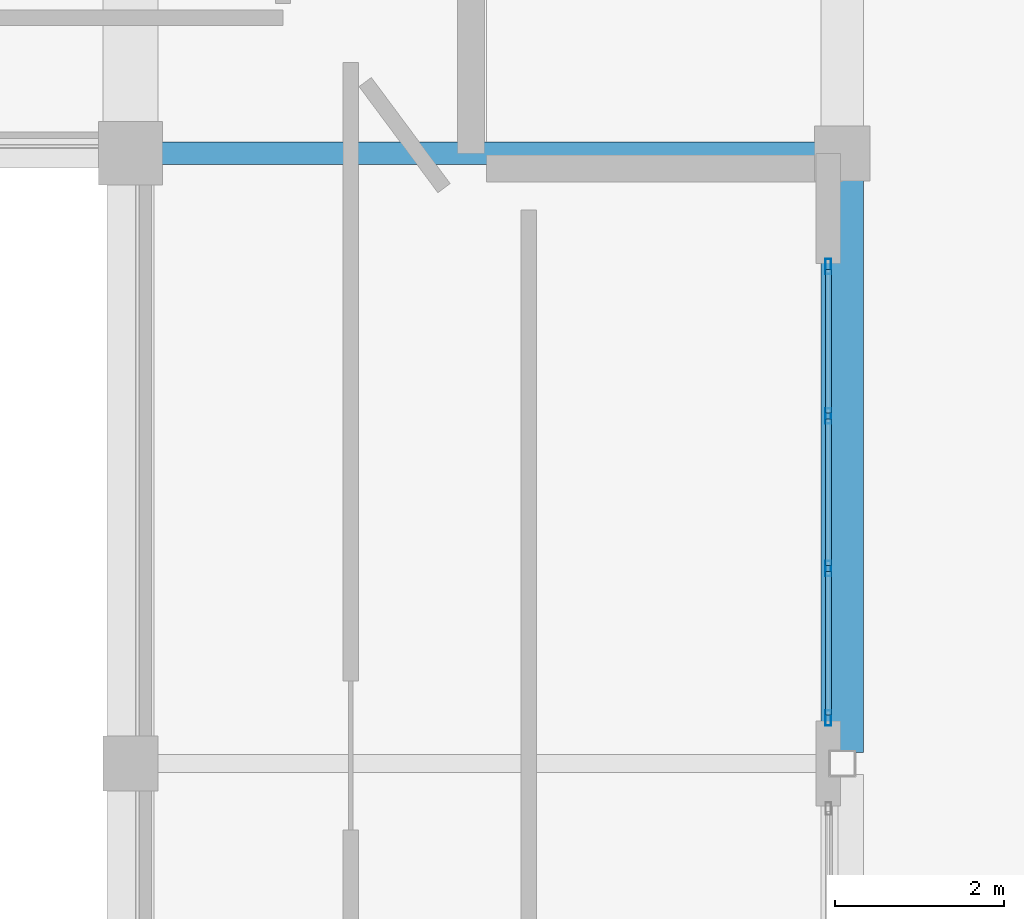
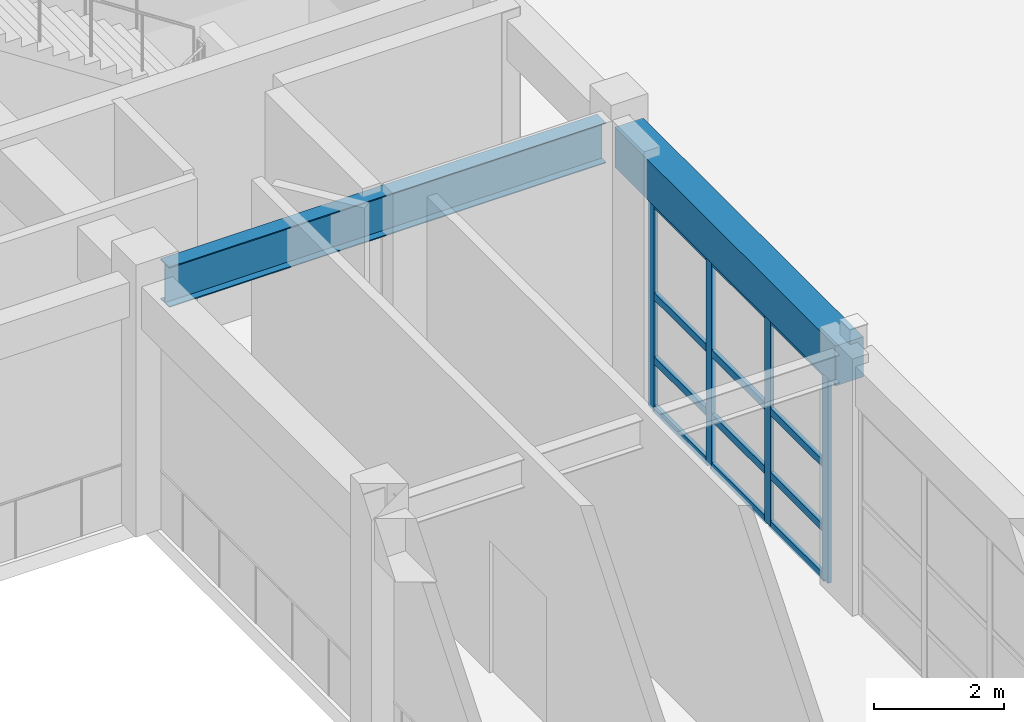
# One storey, part 42 of 78: 16 members, 2 beams, 1 element without a shape of its own.
"""IFC4 building model written with IfcOpenShell, lengths in metres."""

from ifc_helpers import new_model, si_unit, direction, frame, origin, origin_2d, place, context, subcontext, project, spatial, rectangle, hollow_rectangle, i_section, extrude, material, layer, layer_set, material_profile, profile_set, type_object, element, aggregate, save


model = new_model("IFC4")

# Units and contexts
model_context = context("Model", 3, precision=1e-05, world=origin(), true_north=direction((0.0, 1.0)))
body_context = subcontext(model_context, "Body", "Model", "MODEL_VIEW")
ifc_project = project(units=[si_unit("LENGTHUNIT", "METRE"), si_unit("AREAUNIT", "SQUARE_METRE"), si_unit("VOLUMEUNIT", "CUBIC_METRE"), si_unit("PLANEANGLEUNIT", "RADIAN"), si_unit("MASSUNIT", "GRAM", prefix="KILO")], contexts=[model_context])

# Site, building, storey
site_placement = place(None, origin())
site = spatial("IfcSite", under=ifc_project, at=site_placement, CompositionType="ELEMENT")
building_placement = place(site_placement, origin())
building = spatial("IfcBuilding", under=site, at=building_placement, Name="Quendrovan Civic Courthouse", CompositionType="ELEMENT")
storey_placement = place(building_placement, frame((0.0, 0.0, 10.199951171875)))
storey = spatial("IfcBuildingStorey", under=building, at=storey_placement, Name="L03", CompositionType="ELEMENT", Elevation=10.199951171875)

# Beams
ifc_material_1 = material(Name="Concrete C40/50", Category="concrete")
ifc_material_profile_1 = material_profile(ifc_material_1, rectangle(XDim=0.5, YDim=0.75, at=origin_2d()), Name="RC-BM-500x750")
ifc_profile_set_1 = profile_set([ifc_material_profile_1], Name="Concrete C40/50")
beam_type_1 = type_object("IfcBeamType", Name="BM-RC750", PredefinedType="SPANDREL", material=ifc_profile_set_1)
beam_1_placement = place(storey_placement, frame((92.39990234375, 80.530029296875, 4.28515625), z_axis=(0.0, 1.0, 0.0), x_axis=(-1.0, 0.0, 0.0)))
element("IfcBeam", 1, at=beam_1_placement, inside=storey, type_object=beam_type_1, Name="L03 Girder Y0857", PredefinedType="SPANDREL", context=body_context, shape_type="SweptSolid", body=[
    extrude(rectangle(XDim=0.5, YDim=0.75, at=origin_2d()), origin(), (0.0, 0.0, 1.0), 6.764892578125),
])
ifc_material_2 = material(Name="Steel ASTM A992 Grade 50", Category="steel")
ifc_material_profile_2 = material_profile(ifc_material_2, i_section(OverallWidth=0.26611328125, OverallDepth=0.758056640625, WebThickness=0.013916015625, FlangeThickness=0.019287109375, at=origin_2d()), Name="W30X108")
ifc_profile_set_2 = profile_set([ifc_material_profile_2], Name="Steel ASTM A992 Grade 50")
beam_type_2 = type_object("IfcBeamType", Name="BM-STL-W30", PredefinedType="BEAM", material=ifc_profile_set_2)
beam_2_placement = place(storey_placement, frame((84.35498046875, 87.60009765625, 4.281005859375), z_axis=(1.0, 0.0, 0.0), x_axis=(0.0, 1.0, 0.0)))
element("IfcBeam", 2, at=beam_2_placement, inside=storey, type_object=beam_type_2, Name="L03 Girder X0766", PredefinedType="BEAM", context=body_context, shape_type="SweptSolid", body=[
    extrude(i_section(OverallWidth=0.26611328125, OverallDepth=0.758056640625, WebThickness=0.013916015625, FlangeThickness=0.019287109375, at=origin_2d()), origin(), (0.0, 0.0, 1.0), 7.739990234375),
])

# Curtain wall, members
ifc_material_3 = material(Name="Bronze anodised aluminium and low-E glass", Category="aluminium")
ifc_layer = layer(ifc_material_3, 0.179931640625, Name="Bronze anodised aluminium and low-E glass")
ifc_layer_set = layer_set([ifc_layer], Name="Bronze anodised aluminium and low-E glass")
curtain_wall_type = type_object("IfcCurtainWallType", Name="CW-U54x39", PredefinedType="USERDEFINED", material=ifc_layer_set)
curtain_wall_placement = place(storey_placement, origin())
curtain_wall = element("IfcCurtainWall", 3, at=curtain_wall_placement, inside=storey, type_object=curtain_wall_type, Name="L03 Unitised Hurricane Curtain Wall CW-128", ObjectType="UNITISED CURTAIN WALL", PredefinedType="USERDEFINED")
ifc_material_4 = material(Name="Bronze anodised aluminium", Category="aluminium")
ifc_material_profile_3 = material_profile(ifc_material_4, hollow_rectangle(XDim=0.070068359375, YDim=0.179931640625, WallThickness=0.00390625, at=origin_2d()), Name="CW-MULL-70x180")
ifc_profile_set_3 = profile_set([ifc_material_profile_3], Name="Bronze anodised aluminium")
member_type_1 = type_object("IfcMemberType", Name="CW-MULL-A", PredefinedType="MULLION", material=ifc_profile_set_3)
member_1_placement = place(storey_placement, frame((92.235107421875, 86.264892578125, 0.0), z_axis=(0.0, 0.0, 1.0), x_axis=(1.0, 0.0, 0.0)))
member_1 = element("IfcMember", 4, at=member_1_placement, type_object=member_type_1, Name="CW-128 mullion 1", PredefinedType="MULLION", context=body_context, shape_type="SweptSolid", body=[
    extrude(hollow_rectangle(XDim=0.070068359375, YDim=0.179931640625, WallThickness=0.00390625, at=origin_2d()), origin(), (0.0, 0.0, 1.0), 3.900146484375),
])
member_2_placement = place(storey_placement, frame((92.235107421875, 84.5, 0.0), z_axis=(0.0, 0.0, 1.0), x_axis=(1.0, 0.0, 0.0)))
member_2 = element("IfcMember", 5, at=member_2_placement, type_object=member_type_1, Name="CW-128 mullion 2", PredefinedType="MULLION", context=body_context, shape_type="SweptSolid", body=[
    extrude(hollow_rectangle(XDim=0.070068359375, YDim=0.179931640625, WallThickness=0.00390625, at=origin_2d()), origin(), (0.0, 0.0, 1.0), 3.900146484375),
])
member_3_placement = place(storey_placement, frame((92.235107421875, 82.699951171875, 0.0), z_axis=(0.0, 0.0, 1.0), x_axis=(1.0, 0.0, 0.0)))
member_3 = element("IfcMember", 6, at=member_3_placement, type_object=member_type_1, Name="CW-128 mullion 3", PredefinedType="MULLION", context=body_context, shape_type="SweptSolid", body=[
    extrude(hollow_rectangle(XDim=0.070068359375, YDim=0.179931640625, WallThickness=0.00390625, at=origin_2d()), origin(), (0.0, 0.0, 1.0), 3.900146484375),
])
member_4_placement = place(storey_placement, frame((92.235107421875, 80.93505859375, 0.0), z_axis=(0.0, 0.0, 1.0), x_axis=(1.0, 0.0, 0.0)))
member_4 = element("IfcMember", 7, at=member_4_placement, type_object=member_type_1, Name="CW-128 mullion 4", PredefinedType="MULLION", context=body_context, shape_type="SweptSolid", body=[
    extrude(hollow_rectangle(XDim=0.070068359375, YDim=0.179931640625, WallThickness=0.00390625, at=origin_2d()), origin(), (0.0, 0.0, 1.0), 3.900146484375),
])
ifc_material_profile_4 = material_profile(ifc_material_4, hollow_rectangle(XDim=0.070068359375, YDim=0.139892578125, WallThickness=0.00390625, at=origin_2d()), Name="CW-TRAN-70x140")
ifc_profile_set_4 = profile_set([ifc_material_profile_4], Name="Bronze anodised aluminium")
member_type_2 = type_object("IfcMemberType", Name="CW-TRAN-A", PredefinedType="USERDEFINED", material=ifc_profile_set_4)
member_5_placement = place(storey_placement, frame((92.235107421875, 86.22998046875, 0.03515625), z_axis=(0.0, -1.0, 0.0), x_axis=(1.0, 0.0, 0.0)))
member_5 = element("IfcMember", 8, at=member_5_placement, type_object=member_type_2, Name="CW-128 transom 1.1", ObjectType="TRANSOM", PredefinedType="USERDEFINED", context=body_context, shape_type="SweptSolid", body=[
    extrude(hollow_rectangle(XDim=0.070068359375, YDim=0.139892578125, WallThickness=0.00390625, at=origin_2d()), origin(), (0.0, 0.0, 1.0), 1.695068359375),
])
member_6_placement = place(storey_placement, frame((92.235107421875, 86.22998046875, 0.949951171875), z_axis=(0.0, -1.0, 0.0), x_axis=(1.0, 0.0, 0.0)))
member_6 = element("IfcMember", 9, at=member_6_placement, type_object=member_type_2, Name="CW-128 transom 1.2", ObjectType="TRANSOM", PredefinedType="USERDEFINED", context=body_context, shape_type="SweptSolid", body=[
    extrude(hollow_rectangle(XDim=0.070068359375, YDim=0.139892578125, WallThickness=0.00390625, at=origin_2d()), origin(), (0.0, 0.0, 1.0), 1.695068359375),
])
member_7_placement = place(storey_placement, frame((92.235107421875, 86.22998046875, 2.150146484375), z_axis=(0.0, -1.0, 0.0), x_axis=(1.0, 0.0, 0.0)))
member_7 = element("IfcMember", 10, at=member_7_placement, type_object=member_type_2, Name="CW-128 transom 1.3", ObjectType="TRANSOM", PredefinedType="USERDEFINED", context=body_context, shape_type="SweptSolid", body=[
    extrude(hollow_rectangle(XDim=0.070068359375, YDim=0.139892578125, WallThickness=0.00390625, at=origin_2d()), origin(), (0.0, 0.0, 1.0), 1.695068359375),
])
member_8_placement = place(storey_placement, frame((92.235107421875, 86.22998046875, 3.864990234375), z_axis=(0.0, -1.0, 0.0), x_axis=(1.0, 0.0, 0.0)))
member_8 = element("IfcMember", 11, at=member_8_placement, type_object=member_type_2, Name="CW-128 transom 1.4", ObjectType="TRANSOM", PredefinedType="USERDEFINED", context=body_context, shape_type="SweptSolid", body=[
    extrude(hollow_rectangle(XDim=0.070068359375, YDim=0.139892578125, WallThickness=0.00390625, at=origin_2d()), origin(), (0.0, 0.0, 1.0), 1.695068359375),
])
member_9_placement = place(storey_placement, frame((92.235107421875, 84.465087890625, 0.03515625), z_axis=(0.0, -1.0, 0.0), x_axis=(1.0, 0.0, 0.0)))
member_9 = element("IfcMember", 12, at=member_9_placement, type_object=member_type_2, Name="CW-128 transom 2.1", ObjectType="TRANSOM", PredefinedType="USERDEFINED", context=body_context, shape_type="SweptSolid", body=[
    extrude(hollow_rectangle(XDim=0.070068359375, YDim=0.139892578125, WallThickness=0.00390625, at=origin_2d()), origin(), (0.0, 0.0, 1.0), 1.72998046875),
])
member_10_placement = place(storey_placement, frame((92.235107421875, 84.465087890625, 0.949951171875), z_axis=(0.0, -1.0, 0.0), x_axis=(1.0, 0.0, 0.0)))
member_10 = element("IfcMember", 13, at=member_10_placement, type_object=member_type_2, Name="CW-128 transom 2.2", ObjectType="TRANSOM", PredefinedType="USERDEFINED", context=body_context, shape_type="SweptSolid", body=[
    extrude(hollow_rectangle(XDim=0.070068359375, YDim=0.139892578125, WallThickness=0.00390625, at=origin_2d()), origin(), (0.0, 0.0, 1.0), 1.72998046875),
])
member_11_placement = place(storey_placement, frame((92.235107421875, 84.465087890625, 2.150146484375), z_axis=(0.0, -1.0, 0.0), x_axis=(1.0, 0.0, 0.0)))
member_11 = element("IfcMember", 14, at=member_11_placement, type_object=member_type_2, Name="CW-128 transom 2.3", ObjectType="TRANSOM", PredefinedType="USERDEFINED", context=body_context, shape_type="SweptSolid", body=[
    extrude(hollow_rectangle(XDim=0.070068359375, YDim=0.139892578125, WallThickness=0.00390625, at=origin_2d()), origin(), (0.0, 0.0, 1.0), 1.72998046875),
])
member_12_placement = place(storey_placement, frame((92.235107421875, 84.465087890625, 3.864990234375), z_axis=(0.0, -1.0, 0.0), x_axis=(1.0, 0.0, 0.0)))
member_12 = element("IfcMember", 15, at=member_12_placement, type_object=member_type_2, Name="CW-128 transom 2.4", ObjectType="TRANSOM", PredefinedType="USERDEFINED", context=body_context, shape_type="SweptSolid", body=[
    extrude(hollow_rectangle(XDim=0.070068359375, YDim=0.139892578125, WallThickness=0.00390625, at=origin_2d()), origin(), (0.0, 0.0, 1.0), 1.72998046875),
])
member_13_placement = place(storey_placement, frame((92.235107421875, 82.6650390625, 0.03515625), z_axis=(0.0, -1.0, 0.0), x_axis=(1.0, 0.0, 0.0)))
member_13 = element("IfcMember", 16, at=member_13_placement, type_object=member_type_2, Name="CW-128 transom 3.1", ObjectType="TRANSOM", PredefinedType="USERDEFINED", context=body_context, shape_type="SweptSolid", body=[
    extrude(hollow_rectangle(XDim=0.070068359375, YDim=0.139892578125, WallThickness=0.00390625, at=origin_2d()), origin(), (0.0, 0.0, 1.0), 1.695068359375),
])
member_14_placement = place(storey_placement, frame((92.235107421875, 82.6650390625, 0.949951171875), z_axis=(0.0, -1.0, 0.0), x_axis=(1.0, 0.0, 0.0)))
member_14 = element("IfcMember", 17, at=member_14_placement, type_object=member_type_2, Name="CW-128 transom 3.2", ObjectType="TRANSOM", PredefinedType="USERDEFINED", context=body_context, shape_type="SweptSolid", body=[
    extrude(hollow_rectangle(XDim=0.070068359375, YDim=0.139892578125, WallThickness=0.00390625, at=origin_2d()), origin(), (0.0, 0.0, 1.0), 1.695068359375),
])
member_15_placement = place(storey_placement, frame((92.235107421875, 82.6650390625, 2.150146484375), z_axis=(0.0, -1.0, 0.0), x_axis=(1.0, 0.0, 0.0)))
member_15 = element("IfcMember", 18, at=member_15_placement, type_object=member_type_2, Name="CW-128 transom 3.3", ObjectType="TRANSOM", PredefinedType="USERDEFINED", context=body_context, shape_type="SweptSolid", body=[
    extrude(hollow_rectangle(XDim=0.070068359375, YDim=0.139892578125, WallThickness=0.00390625, at=origin_2d()), origin(), (0.0, 0.0, 1.0), 1.695068359375),
])
member_16_placement = place(storey_placement, frame((92.235107421875, 82.6650390625, 3.864990234375), z_axis=(0.0, -1.0, 0.0), x_axis=(1.0, 0.0, 0.0)))
member_16 = element("IfcMember", 19, at=member_16_placement, type_object=member_type_2, Name="CW-128 transom 3.4", ObjectType="TRANSOM", PredefinedType="USERDEFINED", context=body_context, shape_type="SweptSolid", body=[
    extrude(hollow_rectangle(XDim=0.070068359375, YDim=0.139892578125, WallThickness=0.00390625, at=origin_2d()), origin(), (0.0, 0.0, 1.0), 1.695068359375),
])
aggregate(curtain_wall, [member_1, member_2, member_3, member_4, member_5, member_6, member_7, member_8, member_9, member_10, member_11, member_12, member_13, member_14, member_15, member_16])

save(model, "model.ifc")
